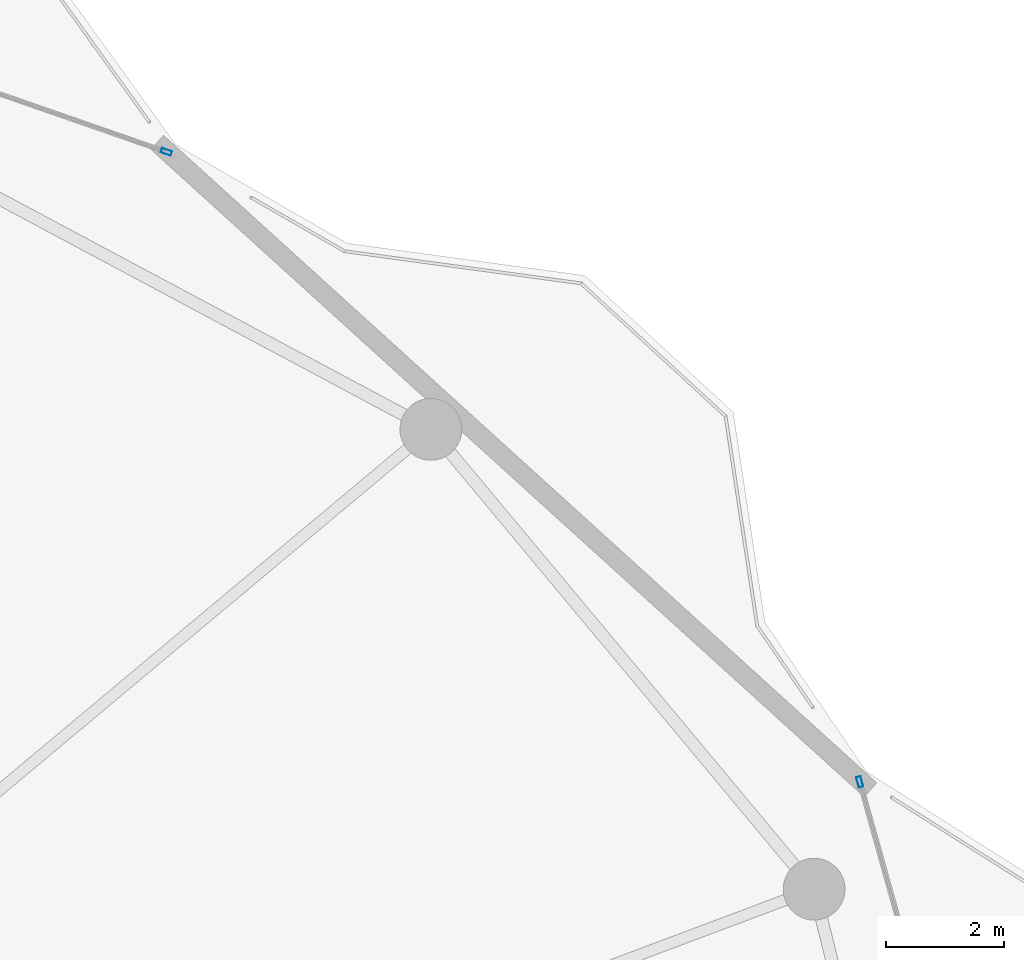
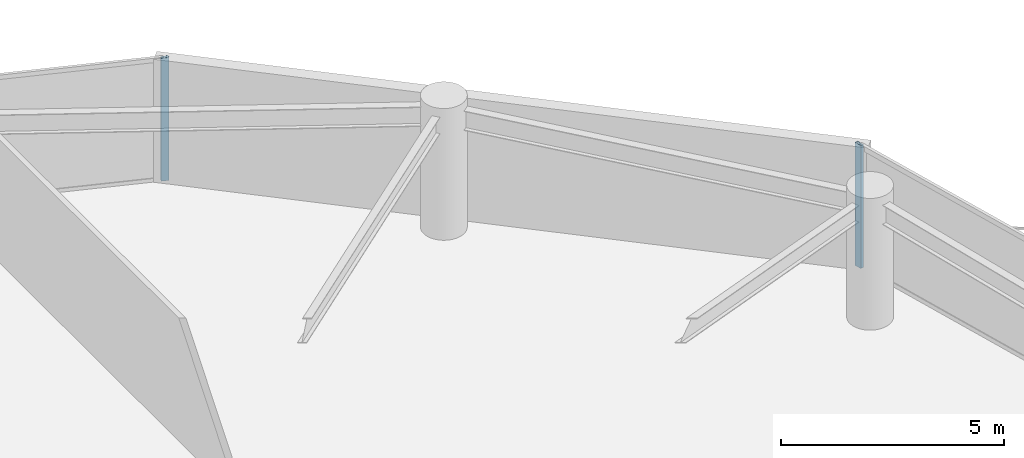
# One storey, part 21 of 28: 2 members, 2 elements without a shape of their own.
"""IFC4 building model written with IfcOpenShell, lengths in metres."""

from ifc_helpers import new_model, si_unit, direction, frame, origin, origin_2d, place, context, subcontext, project, spatial, hollow_rectangle, extrude, material, layer, layer_set, material_profile, profile_set, type_object, element, aggregate, save


model = new_model("IFC4")

# Units and contexts
model_context = context("Model", 3, precision=1e-05, world=origin(), true_north=direction((0.0, 1.0)))
body_context = subcontext(model_context, "Body", "Model", "MODEL_VIEW")
ifc_project = project(units=[si_unit("LENGTHUNIT", "METRE"), si_unit("AREAUNIT", "SQUARE_METRE"), si_unit("VOLUMEUNIT", "CUBIC_METRE"), si_unit("PLANEANGLEUNIT", "RADIAN"), si_unit("MASSUNIT", "GRAM", prefix="KILO")], contexts=[model_context])

# Site, building, storey
site_placement = place(None, origin())
site = spatial("IfcSite", under=ifc_project, at=site_placement, CompositionType="ELEMENT")
building_placement = place(site_placement, origin())
building = spatial("IfcBuilding", under=site, at=building_placement, Name="Kazevale Care Tower and Concert Hall", CompositionType="ELEMENT")
storey_placement = place(building_placement, frame((0.0, 0.0, 246.0)))
storey = spatial("IfcBuildingStorey", under=building, at=storey_placement, Name="L65", CompositionType="ELEMENT", Elevation=246.0)

# Curtain wall, member
ifc_material_1 = material(Name="Aluminium 6063-T6 and Low-E Glass", Category="aluminium")
ifc_layer_1 = layer(ifc_material_1, 0.179931640625)
ifc_layer_set_1 = layer_set([ifc_layer_1], Name="Aluminium 6063-T6 and Low-E Glass")
curtain_wall_type_1 = type_object("IfcCurtainWallType", Name="Convex Checkerboard Finned Curtain Wall CW-2", PredefinedType="NOTDEFINED", material=ifc_layer_set_1)
curtain_wall_1_placement = place(storey_placement, origin())
curtain_wall_1 = element("IfcCurtainWall", 1, at=curtain_wall_1_placement, inside=storey, type_object=curtain_wall_type_1, Name="cw:L65:f16", PredefinedType="NOTDEFINED")
ifc_material_2 = material(Name="Aluminium 6063-T6", Category="aluminium")
ifc_material_profile_1 = material_profile(ifc_material_2, hollow_rectangle(XDim=0.080078125, YDim=0.179931640625, WallThickness=0.0048828125, at=origin_2d()), Name="ALU80x180x5")
ifc_profile_set_1 = profile_set([ifc_material_profile_1], Name="Aluminium 6063-T6")
member_type_1 = type_object("IfcMemberType", Name="CW-2 Mullion ALU80x180x5", PredefinedType="MULLION", material=ifc_profile_set_1)
member_1_placement = place(storey_placement, frame((61.75732421875, 59.72216796875, 0.0), z_axis=(0.0, 0.0, 1.0), x_axis=(0.328583704497, 0.94447485363, 0.0)))
member_1 = element("IfcMember", 2, at=member_1_placement, type_object=member_type_1, Name="CW-2 mullion 2", PredefinedType="MULLION", context=body_context, shape_type="SweptSolid", body=[
    extrude(hollow_rectangle(XDim=0.080078125, YDim=0.179931640625, WallThickness=0.0048828125, at=origin_2d()), origin(), (0.0, 0.0, 1.0), 3.360107421875),
])
aggregate(curtain_wall_1, [member_1])

ifc_layer_2 = layer(ifc_material_1, 0.179931640625)
ifc_layer_set_2 = layer_set([ifc_layer_2], Name="Aluminium 6063-T6 and Low-E Glass")
curtain_wall_type_2 = type_object("IfcCurtainWallType", Name="Waist & Upper Residential Curtain Wall CW-4", PredefinedType="NOTDEFINED", material=ifc_layer_set_2)
curtain_wall_2_placement = place(storey_placement, origin())
curtain_wall_2 = element("IfcCurtainWall", 3, at=curtain_wall_2_placement, inside=storey, type_object=curtain_wall_type_2, Name="cw:L65:f18", PredefinedType="NOTDEFINED")
ifc_material_profile_2 = material_profile(ifc_material_2, hollow_rectangle(XDim=0.080078125, YDim=0.179931640625, WallThickness=0.0048828125, at=origin_2d()), Name="ALU80x180x5")
ifc_profile_set_2 = profile_set([ifc_material_profile_2], Name="Aluminium 6063-T6")
member_type_2 = type_object("IfcMemberType", Name="CW-4 Mullion ALU80x180x5", PredefinedType="MULLION", material=ifc_profile_set_2)
member_2_placement = place(storey_placement, frame((73.53369140625, 49.0234375, 0.0), z_axis=(0.0, 0.0, 1.0), x_axis=(0.962972156211, 0.269600864915, 0.0)))
member_2 = element("IfcMember", 4, at=member_2_placement, type_object=member_type_2, Name="CW-4 mullion 1", PredefinedType="MULLION", context=body_context, shape_type="SweptSolid", body=[
    extrude(hollow_rectangle(XDim=0.080078125, YDim=0.179931640625, WallThickness=0.0048828125, at=origin_2d()), origin(), (0.0, 0.0, 1.0), 3.360107421875),
])
aggregate(curtain_wall_2, [member_2])

save(model, "model.ifc")
